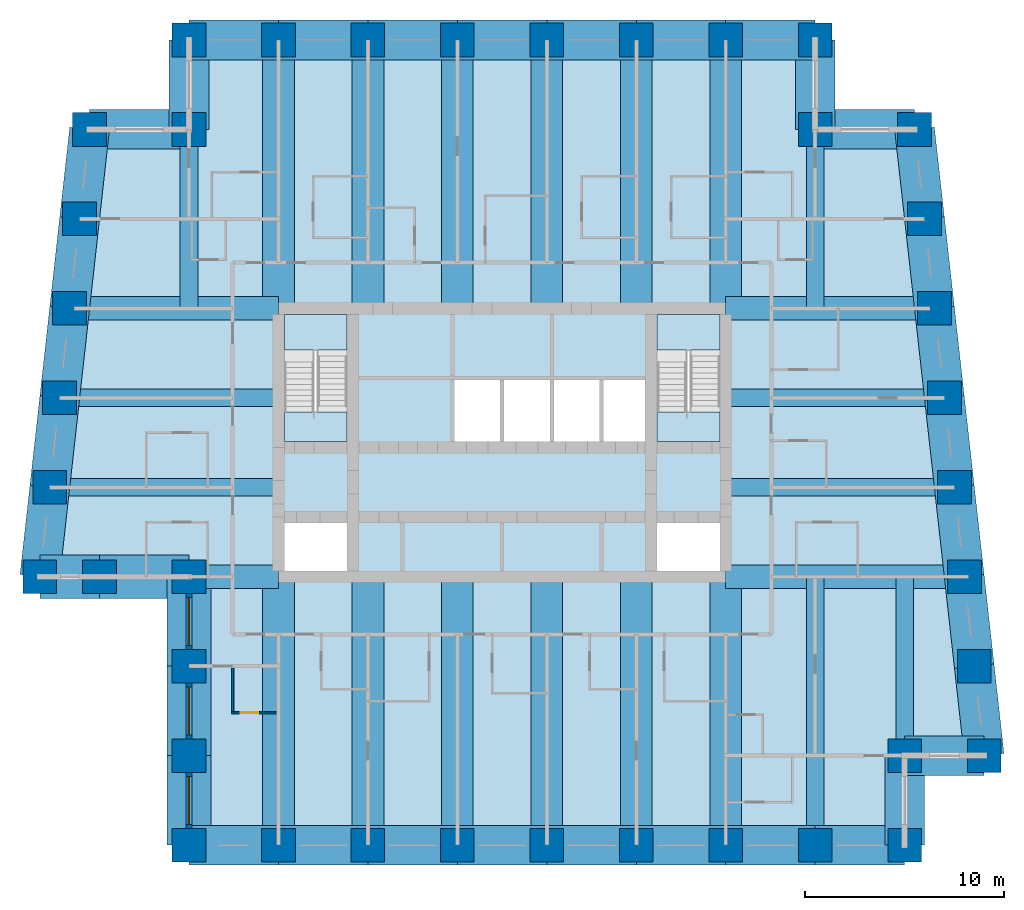
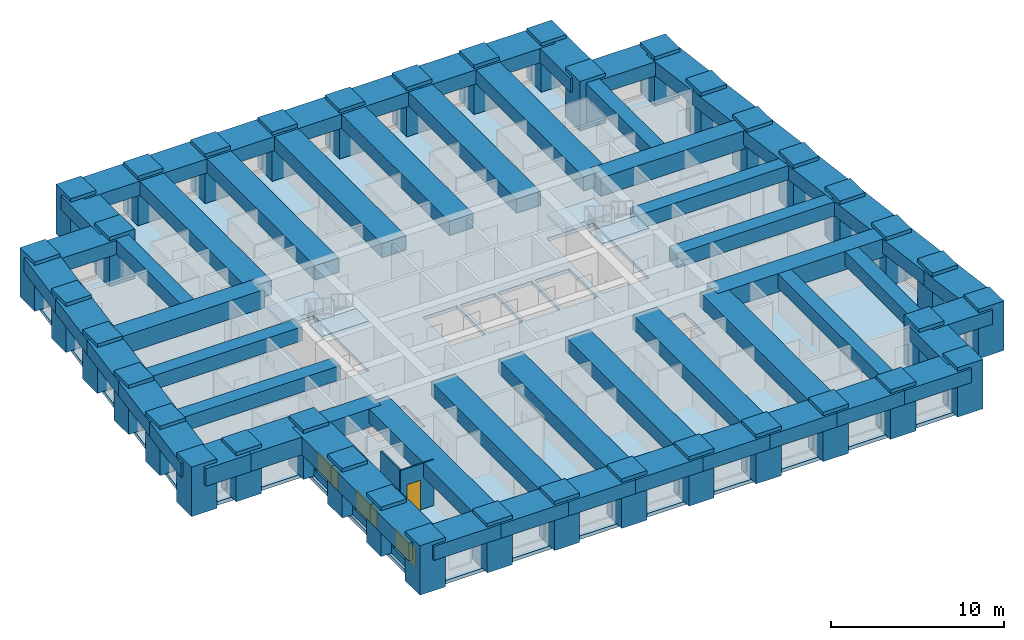
# One storey, part 1 of 8: 62 beams, 38 columns, 5 slabs, 3 walls, 3 windows, 1 door, 4 openings, 2 elements without a shape of their own.
"""IFC4 building model written with IfcOpenShell, lengths in metres."""

from ifc_helpers import new_model, si_unit, direction, frame, frame_2d, origin, origin_2d, place, context, subcontext, project, spatial, polyline, rectangle, outline, extrude, material, layer, layer_set, material_profile, profile_set, type_object, element, fill, aggregate, save


model = new_model("IFC4")

# Units and contexts
model_context = context("Model", 3, precision=1e-05, world=origin(), true_north=direction((0.0, 1.0)))
body_context = subcontext(model_context, "Body", "Model", "MODEL_VIEW")
ifc_project = project(units=[si_unit("LENGTHUNIT", "METRE"), si_unit("AREAUNIT", "SQUARE_METRE"), si_unit("VOLUMEUNIT", "CUBIC_METRE"), si_unit("PLANEANGLEUNIT", "RADIAN"), si_unit("MASSUNIT", "GRAM", prefix="KILO")], contexts=[model_context])

# Site, building, storey
site_placement = place(None, origin())
site = spatial("IfcSite", under=ifc_project, at=site_placement, CompositionType="ELEMENT")
building_placement = place(site_placement, origin())
building = spatial("IfcBuilding", under=site, at=building_placement, Name="Kilele Tower Hotel", CompositionType="ELEMENT")
storey_placement = place(building_placement, frame((0.0, 0.0, 162.39990234375)))
storey = spatial("IfcBuildingStorey", under=building, at=storey_placement, Name="L41", CompositionType="ELEMENT", Elevation=162.39990234375)

# Columns
ifc_material_1 = material(Name="Concrete C60/75", Category="concrete")
ifc_material_profile_1 = material_profile(ifc_material_1, rectangle(XDim=1.699951171875, YDim=1.699951171875, at=origin_2d()))
ifc_profile_set_1 = profile_set([ifc_material_profile_1], Name="Concrete C60/75")
column_type = type_object("IfcColumnType", Name="Tube column RC 1700x1700 C60/75", PredefinedType="COLUMN", material=ifc_profile_set_1)
for number, where, z_axis, x_axis, name in (
    (1, (1.5, 13.5, 0.0), (0.0, 0.0, 1.0), (1.0, 0.0, 0.0), "Column TC4 L41"),
    (2, (4.5, 13.5, 0.0), (0.0, 0.0, 1.0), (1.0, 0.0, 0.0), "Column TC4 L41"),
    (3, (9.0, 13.5, 0.0), (0.0, 0.0, 1.0), (1.0, 0.0, 0.0), "Column TC4 L41"),
    (4, (9.0, 9.0, 0.0), (0.0, 0.0, 1.0), (1.0, 0.0, 0.0), "Column TC4 L41"),
    (5, (9.0, 4.5, 0.0), (0.0, 0.0, 1.0), (1.0, 0.0, 0.0), "Column TC4 L41"),
    (6, (9.0, 0.0, 0.0), (0.0, 0.0, 1.0), (1.0, 0.0, 0.0), "Column TC4 L41"),
    (7, (13.5, 0.0, 0.0), (0.0, 0.0, 1.0), (1.0, 0.0, 0.0), "Column TC4 L41"),
    (8, (18.0, 0.0, 0.0), (0.0, 0.0, 1.0), (1.0, 0.0, 0.0), "Column TC4 L41"),
    (9, (22.5, 0.0, 0.0), (0.0, 0.0, 1.0), (1.0, 0.0, 0.0), "Column TC4 L41"),
    (10, (27.0, 0.0, 0.0), (0.0, 0.0, 1.0), (1.0, 0.0, 0.0), "Column TC4 L41"),
    (11, (31.5, 0.0, 0.0), (0.0, 0.0, 1.0), (1.0, 0.0, 0.0), "Column TC4 L41"),
    (12, (36.0, 0.0, 0.0), (0.0, 0.0, 1.0), (1.0, 0.0, 0.0), "Column TC4 L41"),
    (13, (40.5, 0.0, 0.0), (0.0, 0.0, 1.0), (1.0, 0.0, 0.0), "Column TC4 L41"),
    (14, (45.0, 0.0, 0.0), (0.0, 0.0, 1.0), (1.0, 0.0, 0.0), "Column TC4 L41"),
    (15, (45.0, 4.5, 0.0), (0.0, 0.0, 1.0), (1.0, 0.0, 0.0), "Column TC4 L41"),
    (16, (49.0, 4.5, 0.0), (0.0, 0.0, 1.0), (1.0, 0.0, 0.0), "Column TC4 L41"),
    (17, (48.5, 9.0, 0.0), (0.0, 0.0, 1.0), (1.0, 0.0, 0.0), "Column TC4 L41"),
    (18, (48.0, 13.5, 0.0), (0.0, 0.0, 1.0), (1.0, 0.0, 0.0), "Column TC4 L41"),
    (19, (47.5, 18.0, 0.0), (0.0, 0.0, 1.0), (1.0, 0.0, 0.0), "Column TC4 L41"),
    (20, (47.0, 22.5, 0.0), (0.0, 0.0, 1.0), (1.0, 0.0, 0.0), "Column TC4 L41"),
    (21, (46.5, 27.0, 0.0), (0.0, 0.0, 1.0), (1.0, 0.0, 0.0), "Column TC4 L41"),
    (22, (46.0, 31.5, 0.0), (0.0, 0.0, 1.0), (1.0, 0.0, 0.0), "Column TC4 L41"),
    (23, (45.5, 36.0, 0.0), (0.0, 0.0, 1.0), (1.0, 0.0, 0.0), "Column TC4 L41"),
    (24, (40.5, 36.0, 0.0), (0.0, 0.0, 1.0), (1.0, 0.0, 0.0), "Column TC4 L41"),
    (25, (40.5, 40.5, 0.0), (0.0, 0.0, 1.0), (1.0, 0.0, 0.0), "Column TC4 L41"),
    (26, (36.0, 40.5, 0.0), (0.0, 0.0, 1.0), (1.0, 0.0, 0.0), "Column TC4 L41"),
    (27, (31.5, 40.5, 0.0), (0.0, 0.0, 1.0), (1.0, 0.0, 0.0), "Column TC4 L41"),
    (28, (27.0, 40.5, 0.0), (0.0, 0.0, 1.0), (1.0, 0.0, 0.0), "Column TC4 L41"),
    (29, (22.5, 40.5, 0.0), (0.0, 0.0, 1.0), (1.0, 0.0, 0.0), "Column TC4 L41"),
    (30, (18.0, 40.5, 0.0), (0.0, 0.0, 1.0), (1.0, 0.0, 0.0), "Column TC4 L41"),
    (31, (13.5, 40.5, 0.0), (0.0, 0.0, 1.0), (1.0, 0.0, 0.0), "Column TC4 L41"),
    (32, (9.0, 40.5, 0.0), (0.0, 0.0, 1.0), (1.0, 0.0, 0.0), "Column TC4 L41"),
    (33, (9.0, 36.0, 0.0), (0.0, 0.0, 1.0), (1.0, 0.0, 0.0), "Column TC4 L41"),
    (34, (4.0, 36.0, 0.0), (0.0, 0.0, 1.0), (1.0, 0.0, 0.0), "Column TC4 L41"),
    (35, (3.5, 31.5, 0.0), (0.0, 0.0, 1.0), (1.0, 0.0, 0.0), "Column TC4 L41"),
    (36, (3.0, 27.0, 0.0), (0.0, 0.0, 1.0), (1.0, 0.0, 0.0), "Column TC4 L41"),
    (37, (2.5, 22.5, 0.0), (0.0, 0.0, 1.0), (1.0, 0.0, 0.0), "Column TC4 L41"),
    (38, (2.0, 18.0, 0.0), (0.0, 0.0, 1.0), (1.0, 0.0, 0.0), "Column TC4 L41"),
):
    element("IfcColumn", number, at=place(storey_placement, frame(where, z_axis=z_axis, x_axis=x_axis)), inside=storey, type_object=column_type, Name=name, PredefinedType="COLUMN", context=body_context, shape_type="SweptSolid", body=[
        extrude(rectangle(XDim=1.699951171875, YDim=1.699951171875, at=origin_2d()), origin(), (0.0, 0.0, 1.0), 3.5),
    ])

# Beams
ifc_material_2 = material(Name="Concrete C60/75", Category="concrete")
ifc_material_profile_2 = material_profile(ifc_material_2, rectangle(XDim=1.60009765625, YDim=1.0, at=origin_2d()))
ifc_profile_set_2 = profile_set([ifc_material_profile_2], Name="Concrete C60/75")
beam_type_1 = type_object("IfcBeamType", Name="Beam RC 1600x1000 C60/75", PredefinedType="BEAM", material=ifc_profile_set_2)
for number, where, z_axis, x_axis, name in (
    (39, (13.5, 0.0, 2.75), (0.0, 1.0, 0.0), (-1.0, 0.0, 0.0), "Beam BC1 level L42"),
    (40, (18.0, 0.0, 2.75), (0.0, 1.0, 0.0), (-1.0, 0.0, 0.0), "Beam BC1 level L42"),
    (41, (22.5, 0.0, 2.75), (0.0, 1.0, 0.0), (-1.0, 0.0, 0.0), "Beam BC1 level L42"),
    (42, (27.0, 0.0, 2.75), (0.0, 1.0, 0.0), (-1.0, 0.0, 0.0), "Beam BC1 level L42"),
    (43, (31.5, 0.0, 2.75), (0.0, 1.0, 0.0), (-1.0, 0.0, 0.0), "Beam BC1 level L42"),
    (44, (36.0, 0.0, 2.75), (0.0, 1.0, 0.0), (-1.0, 0.0, 0.0), "Beam BC1 level L42"),
    (45, (36.0, 40.5, 2.75), (0.0, -1.0, 0.0), (1.0, 0.0, 0.0), "Beam BC1 level L42"),
    (46, (31.5, 40.5, 2.75), (0.0, -1.0, 0.0), (1.0, 0.0, 0.0), "Beam BC1 level L42"),
    (47, (27.0, 40.5, 2.75), (0.0, -1.0, 0.0), (1.0, 0.0, 0.0), "Beam BC1 level L42"),
    (48, (22.5, 40.5, 2.75), (0.0, -1.0, 0.0), (1.0, 0.0, 0.0), "Beam BC1 level L42"),
    (49, (18.0, 40.5, 2.75), (0.0, -1.0, 0.0), (1.0, 0.0, 0.0), "Beam BC1 level L42"),
    (50, (13.5, 40.5, 2.75), (0.0, -1.0, 0.0), (1.0, 0.0, 0.0), "Beam BC1 level L42"),
):
    element("IfcBeam", number, at=place(storey_placement, frame(where, z_axis=z_axis, x_axis=x_axis)), inside=storey, type_object=beam_type_1, Name=name, PredefinedType="BEAM", context=body_context, shape_type="SweptSolid", body=[
        extrude(rectangle(XDim=1.60009765625, YDim=1.0, at=origin_2d()), origin(), (0.0, 0.0, 1.0), 13.5),
    ])
ifc_material_3 = material(Name="Concrete C60/75", Category="concrete")
ifc_material_profile_3 = material_profile(ifc_material_3, rectangle(XDim=0.89990234375, YDim=1.0, at=origin_2d()))
ifc_profile_set_3 = profile_set([ifc_material_profile_3], Name="Concrete C60/75")
beam_type_2 = type_object("IfcBeamType", Name="Beam RC 900x1000 C60/75", PredefinedType="BEAM", material=ifc_profile_set_3)
beam_1_placement = place(storey_placement, frame((40.5, 0.0, 2.75), z_axis=(0.0, 1.0, 0.0), x_axis=(-1.0, 0.0, 0.0)))
element("IfcBeam", 51, at=beam_1_placement, inside=storey, type_object=beam_type_2, Name="Beam B8 level L42", PredefinedType="BEAM", context=body_context, shape_type="SweptSolid", body=[
    extrude(rectangle(XDim=0.89990234375, YDim=1.0, at=origin_2d()), origin(), (0.0, 0.0, 1.0), 13.5),
])
beam_2_placement = place(storey_placement, frame((45.0, 4.5, 2.75), z_axis=(0.0, 1.0, 0.0), x_axis=(-1.0, 0.0, 0.0)))
element("IfcBeam", 52, at=beam_2_placement, inside=storey, type_object=beam_type_2, Name="Beam B8 level L42", PredefinedType="BEAM", context=body_context, shape_type="SweptSolid", body=[
    extrude(rectangle(XDim=0.89990234375, YDim=1.0, at=origin_2d()), origin(), (0.0, 0.0, 1.0), 9.0),
])
beam_3_placement = place(storey_placement, frame((47.5, 18.0, 2.75), z_axis=(-1.0, 0.0, 0.0), x_axis=(0.0, -1.0, 0.0)))
element("IfcBeam", 53, at=beam_3_placement, inside=storey, type_object=beam_type_2, Name="Beam B8 level L42", PredefinedType="BEAM", context=body_context, shape_type="SweptSolid", body=[
    extrude(rectangle(XDim=0.89990234375, YDim=1.0, at=origin_2d()), origin(), (0.0, 0.0, 1.0), 11.5),
])
beam_4_placement = place(storey_placement, frame((47.0, 22.5, 2.75), z_axis=(-1.0, 0.0, 0.0), x_axis=(0.0, -1.0, 0.0)))
element("IfcBeam", 54, at=beam_4_placement, inside=storey, type_object=beam_type_2, Name="Beam B8 level L42", PredefinedType="BEAM", context=body_context, shape_type="SweptSolid", body=[
    extrude(rectangle(XDim=0.89990234375, YDim=1.0, at=origin_2d()), origin(), (0.0, 0.0, 1.0), 11.0),
])
for number, where, z_axis, x_axis, name in (
    (55, (40.5, 36.0, 2.75), (0.0, -1.0, 0.0), (1.0, 0.0, 0.0), "Beam B8 level L42"),
    (56, (9.0, 36.0, 2.75), (0.0, -1.0, 0.0), (1.0, 0.0, 0.0), "Beam B8 level L42"),
):
    element("IfcBeam", number, at=place(storey_placement, frame(where, z_axis=z_axis, x_axis=x_axis)), inside=storey, type_object=beam_type_2, Name=name, PredefinedType="BEAM", context=body_context, shape_type="SweptSolid", body=[
        extrude(rectangle(XDim=0.89990234375, YDim=1.0, at=origin_2d()), origin(), (0.0, 0.0, 1.0), 9.0),
    ])
beam_5_placement = place(storey_placement, frame((2.5, 22.5, 2.75), z_axis=(1.0, 0.0, 0.0), x_axis=(0.0, 1.0, 0.0)))
element("IfcBeam", 57, at=beam_5_placement, inside=storey, type_object=beam_type_2, Name="Beam B8 level L42", PredefinedType="BEAM", context=body_context, shape_type="SweptSolid", body=[
    extrude(rectangle(XDim=0.89990234375, YDim=1.0, at=origin_2d()), origin(), (0.0, 0.0, 1.0), 11.0),
])
beam_6_placement = place(storey_placement, frame((2.0, 18.0, 2.75), z_axis=(1.0, 0.0, 0.0), x_axis=(0.0, 1.0, 0.0)))
element("IfcBeam", 58, at=beam_6_placement, inside=storey, type_object=beam_type_2, Name="Beam B8 level L42", PredefinedType="BEAM", context=body_context, shape_type="SweptSolid", body=[
    extrude(rectangle(XDim=0.89990234375, YDim=1.0, at=origin_2d()), origin(), (0.0, 0.0, 1.0), 11.5),
])
ifc_material_4 = material(Name="Concrete C60/75", Category="concrete")
ifc_material_profile_4 = material_profile(ifc_material_4, rectangle(XDim=1.199951171875, YDim=1.300048828125, at=origin_2d()))
ifc_profile_set_4 = profile_set([ifc_material_profile_4], Name="Concrete C60/75")
beam_type_3 = type_object("IfcBeamType", Name="Girder RC 1200x1300 C60/75", PredefinedType="BEAM", material=ifc_profile_set_4)
beam_7_placement = place(storey_placement, frame((48.0, 13.5, 2.60009765625), z_axis=(-1.0, 0.0, 0.0), x_axis=(0.0, -1.0, 0.0)))
element("IfcBeam", 59, at=beam_7_placement, inside=storey, type_object=beam_type_3, Name="Girder G1 level L42", PredefinedType="BEAM", context=body_context, shape_type="SweptSolid", body=[
    extrude(rectangle(XDim=1.199951171875, YDim=1.300048828125, at=origin_2d()), origin(), (0.0, 0.0, 1.0), 12.0),
])
ifc_material_5 = material(Name="Concrete C60/75", Category="concrete")
ifc_material_profile_5 = material_profile(ifc_material_5, rectangle(XDim=1.199951171875, YDim=1.300048828125, at=origin_2d()))
ifc_profile_set_5 = profile_set([ifc_material_profile_5], Name="Concrete C60/75")
beam_type_4 = type_object("IfcBeamType", Name="Girder RC 1200x1300 C60/75 mid span", PredefinedType="BEAM", material=ifc_profile_set_5)
for number, where, z_axis, x_axis, name in (
    (60, (46.5, 27.0, 2.60009765625), (-1.0, 0.0, 0.0), (0.0, -1.0, 0.0), "Girder G3 level L42"),
    (61, (3.0, 27.0, 2.60009765625), (1.0, 0.0, 0.0), (0.0, 1.0, 0.0), "Girder G3 level L42"),
):
    element("IfcBeam", number, at=place(storey_placement, frame(where, z_axis=z_axis, x_axis=x_axis)), inside=storey, type_object=beam_type_4, Name=name, PredefinedType="BEAM", context=body_context, shape_type="SweptSolid", body=[
        extrude(rectangle(XDim=1.199951171875, YDim=1.300048828125, at=origin_2d()), origin(), (0.0, 0.0, 1.0), 10.5),
    ])
ifc_material_6 = material(Name="Concrete C60/75", Category="concrete")
ifc_material_profile_6 = material_profile(ifc_material_6, rectangle(XDim=1.199951171875, YDim=1.300048828125, at=origin_2d()))
ifc_profile_set_6 = profile_set([ifc_material_profile_6], Name="Concrete C60/75")
beam_type_5 = type_object("IfcBeamType", Name="Girder RC 1200x1300 C60/75 short span", PredefinedType="BEAM", material=ifc_profile_set_6)
beam_8_placement = place(storey_placement, frame((9.0, 13.5, 2.60009765625), z_axis=(1.0, 0.0, 0.0), x_axis=(0.0, 1.0, 0.0)))
element("IfcBeam", 62, at=beam_8_placement, inside=storey, type_object=beam_type_5, Name="Girder G5 level L42", PredefinedType="BEAM", context=body_context, shape_type="SweptSolid", body=[
    extrude(rectangle(XDim=1.199951171875, YDim=1.300048828125, at=origin_2d()), origin(), (0.0, 0.0, 1.0), 4.5),
])
ifc_material_7 = material(Name="Concrete C60/75", Category="concrete")
ifc_material_profile_7 = material_profile(ifc_material_7, rectangle(XDim=2.0, YDim=1.0, at=origin_2d()))
ifc_profile_set_7 = profile_set([ifc_material_profile_7], Name="Concrete C60/75")
beam_type_6 = type_object("IfcBeamType", Name="Spandrel RC 2000x1000 C60/75", PredefinedType="SPANDREL", material=ifc_profile_set_7)
for number, where, z_axis, x_axis, name in (
    (63, (9.0, 0.0, 2.75), (1.0, 0.0, 0.0), (0.0, 1.0, 0.0), "Spandrel SP3 level L42"),
    (64, (13.5, 0.0, 2.75), (1.0, 0.0, 0.0), (0.0, 1.0, 0.0), "Spandrel SP3 level L42"),
    (65, (18.0, 0.0, 2.75), (1.0, 0.0, 0.0), (0.0, 1.0, 0.0), "Spandrel SP3 level L42"),
    (66, (22.5, 0.0, 2.75), (1.0, 0.0, 0.0), (0.0, 1.0, 0.0), "Spandrel SP3 level L42"),
    (67, (27.0, 0.0, 2.75), (1.0, 0.0, 0.0), (0.0, 1.0, 0.0), "Spandrel SP3 level L42"),
    (68, (31.5, 0.0, 2.75), (1.0, 0.0, 0.0), (0.0, 1.0, 0.0), "Spandrel SP3 level L42"),
    (69, (36.0, 0.0, 2.75), (1.0, 0.0, 0.0), (0.0, 1.0, 0.0), "Spandrel SP3 level L42"),
    (70, (40.5, 0.0, 2.75), (1.0, 0.0, 0.0), (0.0, 1.0, 0.0), "Spandrel SP3 level L42"),
    (71, (45.0, 0.0, 2.75), (0.0, 1.0, 0.0), (-1.0, 0.0, 0.0), "Spandrel SP3 level L42"),
):
    element("IfcBeam", number, at=place(storey_placement, frame(where, z_axis=z_axis, x_axis=x_axis)), inside=storey, type_object=beam_type_6, Name=name, PredefinedType="SPANDREL", context=body_context, shape_type="SweptSolid", body=[
        extrude(rectangle(XDim=2.0, YDim=1.0, at=origin_2d()), origin(), (0.0, 0.0, 1.0), 4.5),
    ])
beam_9_placement = place(storey_placement, frame((45.0, 4.5, 2.75), z_axis=(1.0, 0.0, 0.0), x_axis=(0.0, 1.0, 0.0)))
element("IfcBeam", 72, at=beam_9_placement, inside=storey, type_object=beam_type_6, Name="Spandrel SP3 level L42", PredefinedType="SPANDREL", context=body_context, shape_type="SweptSolid", body=[
    extrude(rectangle(XDim=2.0, YDim=1.0, at=origin_2d()), origin(), (0.0, 0.0, 1.0), 4.0),
])
for number, where, z_axis, x_axis, name in (
    (73, (49.0, 4.5, 2.75), (-0.110431526075, 0.993883734674, 0.0), (-0.993883734674, -0.110431526075, 0.0), "Spandrel SP3 level L42"),
    (74, (48.5, 9.0, 2.75), (-0.110431526075, 0.993883734674, 0.0), (-0.993883734674, -0.110431526075, 0.0), "Spandrel SP3 level L42"),
    (75, (48.0, 13.5, 2.75), (-0.110431526075, 0.993883734674, 0.0), (-0.993883734674, -0.110431526075, 0.0), "Spandrel SP3 level L42"),
    (76, (47.5, 18.0, 2.75), (-0.110431526075, 0.993883734674, 0.0), (-0.993883734674, -0.110431526075, 0.0), "Spandrel SP3 level L42"),
    (77, (47.0, 22.5, 2.75), (-0.110431526075, 0.993883734674, 0.0), (-0.993883734674, -0.110431526075, 0.0), "Spandrel SP3 level L42"),
    (78, (46.5, 27.0, 2.75), (-0.110431526075, 0.993883734674, 0.0), (-0.993883734674, -0.110431526075, 0.0), "Spandrel SP3 level L42"),
    (79, (46.0, 31.5, 2.75), (-0.110431526075, 0.993883734674, 0.0), (-0.993883734674, -0.110431526075, 0.0), "Spandrel SP3 level L42"),
):
    element("IfcBeam", number, at=place(storey_placement, frame(where, z_axis=z_axis, x_axis=x_axis)), inside=storey, type_object=beam_type_6, Name=name, PredefinedType="SPANDREL", context=body_context, shape_type="SweptSolid", body=[
        extrude(rectangle(XDim=2.0, YDim=1.0, at=origin_2d()), origin(), (0.0, 0.0, 1.0), 4.527587890625),
    ])
beam_10_placement = place(storey_placement, frame((45.5, 36.0, 2.75), z_axis=(-1.0, 0.0, 0.0), x_axis=(0.0, -1.0, 0.0)))
element("IfcBeam", 80, at=beam_10_placement, inside=storey, type_object=beam_type_6, Name="Spandrel SP3 level L42", PredefinedType="SPANDREL", context=body_context, shape_type="SweptSolid", body=[
    extrude(rectangle(XDim=2.0, YDim=1.0, at=origin_2d()), origin(), (0.0, 0.0, 1.0), 5.0),
])
for number, where, z_axis, x_axis, name in (
    (81, (40.5, 36.0, 2.75), (0.0, 1.0, 0.0), (-1.0, 0.0, 0.0), "Spandrel SP3 level L42"),
    (82, (40.5, 40.5, 2.75), (-1.0, 0.0, 0.0), (0.0, -1.0, 0.0), "Spandrel SP3 level L42"),
    (83, (36.0, 40.5, 2.75), (-1.0, 0.0, 0.0), (0.0, -1.0, 0.0), "Spandrel SP3 level L42"),
    (84, (31.5, 40.5, 2.75), (-1.0, 0.0, 0.0), (0.0, -1.0, 0.0), "Spandrel SP3 level L42"),
    (85, (27.0, 40.5, 2.75), (-1.0, 0.0, 0.0), (0.0, -1.0, 0.0), "Spandrel SP3 level L42"),
    (86, (22.5, 40.5, 2.75), (-1.0, 0.0, 0.0), (0.0, -1.0, 0.0), "Spandrel SP3 level L42"),
    (87, (18.0, 40.5, 2.75), (-1.0, 0.0, 0.0), (0.0, -1.0, 0.0), "Spandrel SP3 level L42"),
    (88, (13.5, 40.5, 2.75), (-1.0, 0.0, 0.0), (0.0, -1.0, 0.0), "Spandrel SP3 level L42"),
    (89, (9.0, 40.5, 2.75), (0.0, -1.0, 0.0), (1.0, 0.0, 0.0), "Spandrel SP3 level L42"),
):
    element("IfcBeam", number, at=place(storey_placement, frame(where, z_axis=z_axis, x_axis=x_axis)), inside=storey, type_object=beam_type_6, Name=name, PredefinedType="SPANDREL", context=body_context, shape_type="SweptSolid", body=[
        extrude(rectangle(XDim=2.0, YDim=1.0, at=origin_2d()), origin(), (0.0, 0.0, 1.0), 4.5),
    ])
beam_11_placement = place(storey_placement, frame((9.0, 36.0, 2.75), z_axis=(-1.0, 0.0, 0.0), x_axis=(0.0, -1.0, 0.0)))
element("IfcBeam", 90, at=beam_11_placement, inside=storey, type_object=beam_type_6, Name="Spandrel SP3 level L42", PredefinedType="SPANDREL", context=body_context, shape_type="SweptSolid", body=[
    extrude(rectangle(XDim=2.0, YDim=1.0, at=origin_2d()), origin(), (0.0, 0.0, 1.0), 5.0),
])
for number, where, z_axis, x_axis, name in (
    (91, (4.0, 36.0, 2.75), (-0.110431526075, -0.993883734674, 0.0), (0.993883734674, -0.110431526075, 0.0), "Spandrel SP3 level L42"),
    (92, (3.5, 31.5, 2.75), (-0.110431526075, -0.993883734674, 0.0), (0.993883734674, -0.110431526075, 0.0), "Spandrel SP3 level L42"),
    (93, (3.0, 27.0, 2.75), (-0.110431526075, -0.993883734674, 0.0), (0.993883734674, -0.110431526075, 0.0), "Spandrel SP3 level L42"),
    (94, (2.5, 22.5, 2.75), (-0.110431526075, -0.993883734674, 0.0), (0.993883734674, -0.110431526075, 0.0), "Spandrel SP3 level L42"),
    (95, (2.0, 18.0, 2.75), (-0.110431526075, -0.993883734674, 0.0), (0.993883734674, -0.110431526075, 0.0), "Spandrel SP3 level L42"),
):
    element("IfcBeam", number, at=place(storey_placement, frame(where, z_axis=z_axis, x_axis=x_axis)), inside=storey, type_object=beam_type_6, Name=name, PredefinedType="SPANDREL", context=body_context, shape_type="SweptSolid", body=[
        extrude(rectangle(XDim=2.0, YDim=1.0, at=origin_2d()), origin(), (0.0, 0.0, 1.0), 4.527587890625),
    ])
ifc_material_8 = material(Name="Concrete C60/75", Category="concrete")
ifc_material_profile_8 = material_profile(ifc_material_8, rectangle(XDim=2.199951171875, YDim=1.25, at=origin_2d()))
ifc_profile_set_8 = profile_set([ifc_material_profile_8], Name="Concrete C60/75")
beam_type_7 = type_object("IfcBeamType", Name="Spandrel RC 2200x1250 C60/75", PredefinedType="SPANDREL", material=ifc_profile_set_8)
beam_12_placement = place(storey_placement, frame((1.5, 13.5, 2.625), z_axis=(1.0, 0.0, 0.0), x_axis=(0.0, 1.0, 0.0)))
element("IfcBeam", 96, at=beam_12_placement, inside=storey, type_object=beam_type_7, Name="Spandrel SP12 level L42", PredefinedType="SPANDREL", context=body_context, shape_type="SweptSolid", body=[
    extrude(rectangle(XDim=2.199951171875, YDim=1.25, at=origin_2d()), origin(), (0.0, 0.0, 1.0), 3.0),
])
for number, where, z_axis, x_axis, name in (
    (97, (4.5, 13.5, 2.625), (1.0, 0.0, 0.0), (0.0, 1.0, 0.0), "Spandrel SP12 level L42"),
    (98, (9.0, 13.5, 2.625), (0.0, -1.0, 0.0), (1.0, 0.0, 0.0), "Spandrel SP12 level L42"),
    (99, (9.0, 9.0, 2.625), (0.0, -1.0, 0.0), (1.0, 0.0, 0.0), "Spandrel SP12 level L42"),
    (100, (9.0, 4.5, 2.625), (0.0, -1.0, 0.0), (1.0, 0.0, 0.0), "Spandrel SP12 level L42"),
):
    element("IfcBeam", number, at=place(storey_placement, frame(where, z_axis=z_axis, x_axis=x_axis)), inside=storey, type_object=beam_type_7, Name=name, PredefinedType="SPANDREL", context=body_context, shape_type="SweptSolid", body=[
        extrude(rectangle(XDim=2.199951171875, YDim=1.25, at=origin_2d()), origin(), (0.0, 0.0, 1.0), 4.5),
    ])

# Slab
ifc_material_9 = material(Name="Concrete C60/75", Category="concrete")
ifc_layer_1 = layer(ifc_material_9, 0.25)
ifc_layer_set_1 = layer_set([ifc_layer_1], Name="Concrete C60/75")
slab_type_1 = type_object("IfcSlabType", Name="Floor slab 250", PredefinedType="FLOOR", material=ifc_layer_set_1)
slab_1_placement = place(storey_placement, frame((0.0, 0.0, -0.25)))
element("IfcSlab", 101, at=slab_1_placement, inside=storey, type_object=slab_type_1, Name="Floor slab L41", PredefinedType="FLOOR", context=body_context, shape_type="SweptSolid", body=[
    extrude(outline(polyline([(8.699951171875, 36.300048828125), (8.699951171875, 40.800048828125), (40.800048828125, 40.800048828125), (40.800048828125, 36.300048828125), (45.7685546875, 36.300048828125), (49.335205078125, 4.199951171875), (45.300048828125, 4.199951171875), (45.300048828125, -0.300048828125), (8.699951171875, -0.300048828125), (8.699951171875, 13.199951171875), (1.164794921875, 13.199951171875), (3.7314453125, 36.300048828125), (8.699951171875, 36.300048828125)]), holes=[polyline([(16.949951171875, 16.199951171875), (13.800048828125, 16.199951171875), (13.800048828125, 13.800048828125), (16.949951171875, 13.800048828125), (16.949951171875, 16.199951171875)]), polyline([(35.699951171875, 16.199951171875), (32.550048828125, 16.199951171875), (32.550048828125, 13.800048828125), (35.699951171875, 13.800048828125), (35.699951171875, 16.199951171875)]), polyline([(24.64990234375, 23.39990234375), (22.35009765625, 23.39990234375), (22.35009765625, 20.10009765625), (24.64990234375, 20.10009765625), (24.64990234375, 23.39990234375)]), polyline([(27.14990234375, 23.39990234375), (24.85009765625, 23.39990234375), (24.85009765625, 20.10009765625), (27.14990234375, 20.10009765625), (27.14990234375, 23.39990234375)]), polyline([(29.64990234375, 23.39990234375), (27.35009765625, 23.39990234375), (27.35009765625, 20.10009765625), (29.64990234375, 20.10009765625), (29.64990234375, 23.39990234375)]), polyline([(32.14990234375, 23.39990234375), (29.85009765625, 23.39990234375), (29.85009765625, 20.10009765625), (32.14990234375, 20.10009765625), (32.14990234375, 23.39990234375)]), polyline([(16.949951171875, 26.699951171875), (13.800048828125, 26.699951171875), (13.800048828125, 20.300048828125), (16.949951171875, 20.300048828125), (16.949951171875, 26.699951171875)]), polyline([(35.699951171875, 26.699951171875), (32.550048828125, 26.699951171875), (32.550048828125, 20.300048828125), (35.699951171875, 20.300048828125), (35.699951171875, 26.699951171875)])]), origin(), (0.0, 0.0, 1.0), 0.25),
])

# Stair, slabs
ifc_material_10 = material(Name="Precast concrete C40/50", Category="concrete")
stair_type = type_object("IfcStairType", Name="Stair 1475 x 3500", PredefinedType="HALF_TURN_STAIR", material=ifc_material_10)
stair_1_placement = place(storey_placement, origin())
stair_1 = element("IfcStair", 102, at=stair_1_placement, inside=storey, type_object=stair_type, Name="Stair 1 L41", PredefinedType="HALF_TURN_STAIR")
ifc_material_11 = material(Name="Precast concrete C40/50", Category="concrete")
ifc_layer_2 = layer(ifc_material_11, 0.199951171875)
ifc_layer_set_2 = layer_set([ifc_layer_2], Name="Precast concrete C40/50")
slab_type_2 = type_object("IfcSlabType", Name="Stair landing 200", PredefinedType="LANDING", material=ifc_layer_set_2)
slab_2_placement = place(storey_placement, frame((0.0, 0.0, 1.550048828125)))
slab_2 = element("IfcSlab", 103, at=slab_2_placement, type_object=slab_type_2, Name="ST1 landing 1", PredefinedType="LANDING", context=body_context, shape_type="SweptSolid", body=[
    extrude(outline(polyline([(13.800048828125, 24.89501953125), (16.949951171875, 24.89501953125), (16.949951171875, 26.699951171875), (13.800048828125, 26.699951171875), (13.800048828125, 24.89501953125)])), origin(), (0.0, 0.0, 1.0), 0.199951171875),
])
slab_3_placement = place(storey_placement, frame((0.0, 0.0, 3.300048828125)))
slab_3 = element("IfcSlab", 104, at=slab_3_placement, type_object=slab_type_2, Name="ST1 landing 2", PredefinedType="LANDING", context=body_context, shape_type="SweptSolid", body=[
    extrude(outline(polyline([(13.800048828125, 20.300048828125), (16.949951171875, 20.300048828125), (16.949951171875, 21.77490234375), (13.800048828125, 21.77490234375), (13.800048828125, 20.300048828125)])), origin(), (0.0, 0.0, 1.0), 0.199951171875),
])
aggregate(stair_1, [slab_2, slab_3])

stair_2_placement = place(storey_placement, origin())
stair_2 = element("IfcStair", 105, at=stair_2_placement, inside=storey, type_object=stair_type, Name="Stair 2 L41", PredefinedType="HALF_TURN_STAIR")
slab_4_placement = place(storey_placement, frame((0.0, 0.0, 1.550048828125)))
slab_4 = element("IfcSlab", 106, at=slab_4_placement, type_object=slab_type_2, Name="ST2 landing 1", PredefinedType="LANDING", context=body_context, shape_type="SweptSolid", body=[
    extrude(outline(polyline([(32.550048828125, 24.89501953125), (35.699951171875, 24.89501953125), (35.699951171875, 26.699951171875), (32.550048828125, 26.699951171875), (32.550048828125, 24.89501953125)])), origin(), (0.0, 0.0, 1.0), 0.199951171875),
])
slab_5_placement = place(storey_placement, frame((0.0, 0.0, 3.300048828125)))
slab_5 = element("IfcSlab", 107, at=slab_5_placement, type_object=slab_type_2, Name="ST2 landing 2", PredefinedType="LANDING", context=body_context, shape_type="SweptSolid", body=[
    extrude(outline(polyline([(32.550048828125, 20.300048828125), (35.699951171875, 20.300048828125), (35.699951171875, 21.77490234375), (32.550048828125, 21.77490234375), (32.550048828125, 20.300048828125)])), origin(), (0.0, 0.0, 1.0), 0.199951171875),
])
aggregate(stair_2, [slab_4, slab_5])

# Wall
ifc_material_12 = material(Name="Moisture-resistant board")
ifc_layer_3 = layer(ifc_material_12, 0.10009765625)
ifc_layer_set_3 = layer_set([ifc_layer_3], Name="Moisture-resistant board")
wall_type_1 = type_object("IfcWallType", Name="Bathroom partition 100", PredefinedType="PLUMBINGWALL", material=ifc_layer_set_3)
wall_1_placement = place(storey_placement, frame((11.198974609375, 8.89990234375, 0.0), z_axis=(0.0, 0.0, 1.0), x_axis=(0.0, -1.0, 0.0)))
element("IfcWall", 108, at=wall_1_placement, inside=storey, type_object=wall_type_1, Name="Bathroom partition 100 L41", PredefinedType="PLUMBINGWALL", context=body_context, shape_type="SweptSolid", body=[
    extrude(rectangle(XDim=2.2998046875, YDim=0.10009765625, at=frame_2d((1.14990234375, 0.0))), origin(), (0.0, 0.0, 1.0), 3.25),
])

# Wall, opening, door
wall_2_placement = place(storey_placement, frame((13.39990234375, 6.64990234375, 0.0), z_axis=(0.0, 0.0, 1.0), x_axis=(-1.0, 0.0, 0.0)))
wall_2 = element("IfcWall", 109, at=wall_2_placement, inside=storey, type_object=wall_type_1, Name="Bathroom partition 100 L41", PredefinedType="PLUMBINGWALL", context=body_context, shape_type="SweptSolid", body=[
    extrude(rectangle(XDim=2.2509765625, YDim=0.10009765625, at=frame_2d((1.12548828125, 0.0))), origin(), (0.0, 0.0, 1.0), 3.25),
])
opening_1_placement = place(wall_2_placement, frame((0.89990234375, 0.0, 0.0)))
opening_1 = element("IfcOpeningElement", 110, at=opening_1_placement, cuts=wall_2, Name="Opening D2A", PredefinedType="OPENING", context=body_context, shape_type="SweptSolid", body=[
    extrude(rectangle(XDim=0.89990234375, YDim=2.10009765625, at=frame_2d((0.449951171875, 1.050048828125))), frame((0.0, 0.06005859375, 0.0), z_axis=(0.0, -1.0, 0.0), x_axis=(1.0, 0.0, 0.0)), (0.0, 0.0, 1.0), 0.1201171875),
])
ifc_material_13 = material(Name="Timber door leaf in hardwood frame", Category="wood")
door_type = type_object("IfcDoorType", Name="Bathroom door 900", OperationType="SINGLE_SWING_LEFT", PredefinedType="DOOR", material=ifc_material_13)
door_placement = place(opening_1_placement, origin())
door = element("IfcDoor", 111, at=door_placement, inside=storey, type_object=door_type, Name="Bathroom door 4118B", OperationType="SINGLE_SWING_LEFT", OverallHeight=2.10009765625, OverallWidth=0.89990234375, PredefinedType="DOOR", context=body_context, shape_type="SweptSolid", body=[
    extrude(rectangle(XDim=0.89990234375, YDim=2.10009765625, at=frame_2d((0.449951171875, 1.050048828125))), frame((0.0, 0.02490234375, 0.0), z_axis=(0.0, -1.0, 0.0), x_axis=(1.0, 0.0, 0.0)), (0.0, 0.0, 1.0), 0.050048828125),
])
fill(opening_1, door)

# Wall, openings, windows
ifc_material_14 = material(Name="Concrete C40/50 precast", Category="concrete")
ifc_layer_4 = layer(ifc_material_14, 0.260009765625, Name="Precast backing", Category="LoadBearing")
ifc_material_15 = material(Name="Reconstituted stone finish", Category="masonry")
ifc_layer_5 = layer(ifc_material_15, 0.0400390625, Name="Face mix", Category="Finish")
ifc_layer_set_4 = layer_set([ifc_layer_4, ifc_layer_5], Name="Precast concrete C40/50, reconstituted stone finish")
wall_type_2 = type_object("IfcWallType", Name="Precast stone facade wall 300", PredefinedType="STANDARD", material=ifc_layer_set_4)
wall_3_placement = place(storey_placement, frame((9.0, 13.64990234375, 0.0), z_axis=(0.0, 0.0, 1.0), x_axis=(0.0, -1.0, 0.0)))
wall_3 = element("IfcWall", 112, at=wall_3_placement, inside=storey, type_object=wall_type_2, Name="Facade wall L41 edge 2", PredefinedType="STANDARD", context=body_context, shape_type="SweptSolid", body=[
    extrude(rectangle(XDim=13.7998046875, YDim=0.300048828125, at=frame_2d((6.89990234375, 0.0))), origin(), (0.0, 0.0, 1.0), 2.0),
])
opening_2_placement = place(wall_3_placement, frame((1.199951171875, 0.0, 0.5)))
opening_2 = element("IfcOpeningElement", 113, at=opening_2_placement, cuts=wall_3, Name="Opening W3", PredefinedType="OPENING", context=body_context, shape_type="SweptSolid", body=[
    extrude(rectangle(XDim=2.39990234375, YDim=1.35009765625, at=frame_2d((1.199951171875, 0.675048828125))), frame((0.0, 0.159912109375, 0.0), z_axis=(0.0, -1.0, 0.0), x_axis=(1.0, 0.0, 0.0)), (0.0, 0.0, 1.0), 0.320068359375),
])
opening_3_placement = place(wall_3_placement, frame((5.699951171875, 0.0, 0.5)))
opening_3 = element("IfcOpeningElement", 114, at=opening_3_placement, cuts=wall_3, Name="Opening W3", PredefinedType="OPENING", context=body_context, shape_type="SweptSolid", body=[
    extrude(rectangle(XDim=2.39990234375, YDim=1.35009765625, at=frame_2d((1.199951171875, 0.675048828125))), frame((0.0, 0.159912109375, 0.0), z_axis=(0.0, -1.0, 0.0), x_axis=(1.0, 0.0, 0.0)), (0.0, 0.0, 1.0), 0.320068359375),
])
opening_4_placement = place(wall_3_placement, frame((10.199951171875, 0.0, 0.5)))
opening_4 = element("IfcOpeningElement", 115, at=opening_4_placement, cuts=wall_3, Name="Opening W3", PredefinedType="OPENING", context=body_context, shape_type="SweptSolid", body=[
    extrude(rectangle(XDim=2.39990234375, YDim=1.35009765625, at=frame_2d((1.199951171875, 0.675048828125))), frame((0.0, 0.159912109375, 0.0), z_axis=(0.0, -1.0, 0.0), x_axis=(1.0, 0.0, 0.0)), (0.0, 0.0, 1.0), 0.320068359375),
])
ifc_material_16 = material(Name="Aluminium frame, clear double glazing", Category="aluminium")
window_type = type_object("IfcWindowType", Name="Window W3 2400 x 1350", PartitioningType="SINGLE_PANEL", PredefinedType="WINDOW", material=ifc_material_16)
window_1_placement = place(opening_2_placement, origin())
window_1 = element("IfcWindow", 116, at=window_1_placement, inside=storey, type_object=window_type, Name="Window L41", OverallHeight=1.35009765625, OverallWidth=2.39990234375, PartitioningType="SINGLE_PANEL", PredefinedType="WINDOW", context=body_context, shape_type="SweptSolid", body=[
    extrude(rectangle(XDim=2.39990234375, YDim=1.35009765625, at=frame_2d((1.199951171875, 0.675048828125))), frame((0.0, 0.030029296875, 0.0), z_axis=(0.0, -1.0, 0.0), x_axis=(1.0, 0.0, 0.0)), (0.0, 0.0, 1.0), 0.06005859375),
])
fill(opening_2, window_1)
window_2_placement = place(opening_3_placement, origin())
window_2 = element("IfcWindow", 117, at=window_2_placement, inside=storey, type_object=window_type, Name="Window L41", OverallHeight=1.35009765625, OverallWidth=2.39990234375, PartitioningType="SINGLE_PANEL", PredefinedType="WINDOW", context=body_context, shape_type="SweptSolid", body=[
    extrude(rectangle(XDim=2.39990234375, YDim=1.35009765625, at=frame_2d((1.199951171875, 0.675048828125))), frame((0.0, 0.030029296875, 0.0), z_axis=(0.0, -1.0, 0.0), x_axis=(1.0, 0.0, 0.0)), (0.0, 0.0, 1.0), 0.06005859375),
])
fill(opening_3, window_2)
window_3_placement = place(opening_4_placement, origin())
window_3 = element("IfcWindow", 118, at=window_3_placement, inside=storey, type_object=window_type, Name="Window L41", OverallHeight=1.35009765625, OverallWidth=2.39990234375, PartitioningType="SINGLE_PANEL", PredefinedType="WINDOW", context=body_context, shape_type="SweptSolid", body=[
    extrude(rectangle(XDim=2.39990234375, YDim=1.35009765625, at=frame_2d((1.199951171875, 0.675048828125))), frame((0.0, 0.030029296875, 0.0), z_axis=(0.0, -1.0, 0.0), x_axis=(1.0, 0.0, 0.0)), (0.0, 0.0, 1.0), 0.06005859375),
])
fill(opening_4, window_3)

save(model, "model.ifc")
